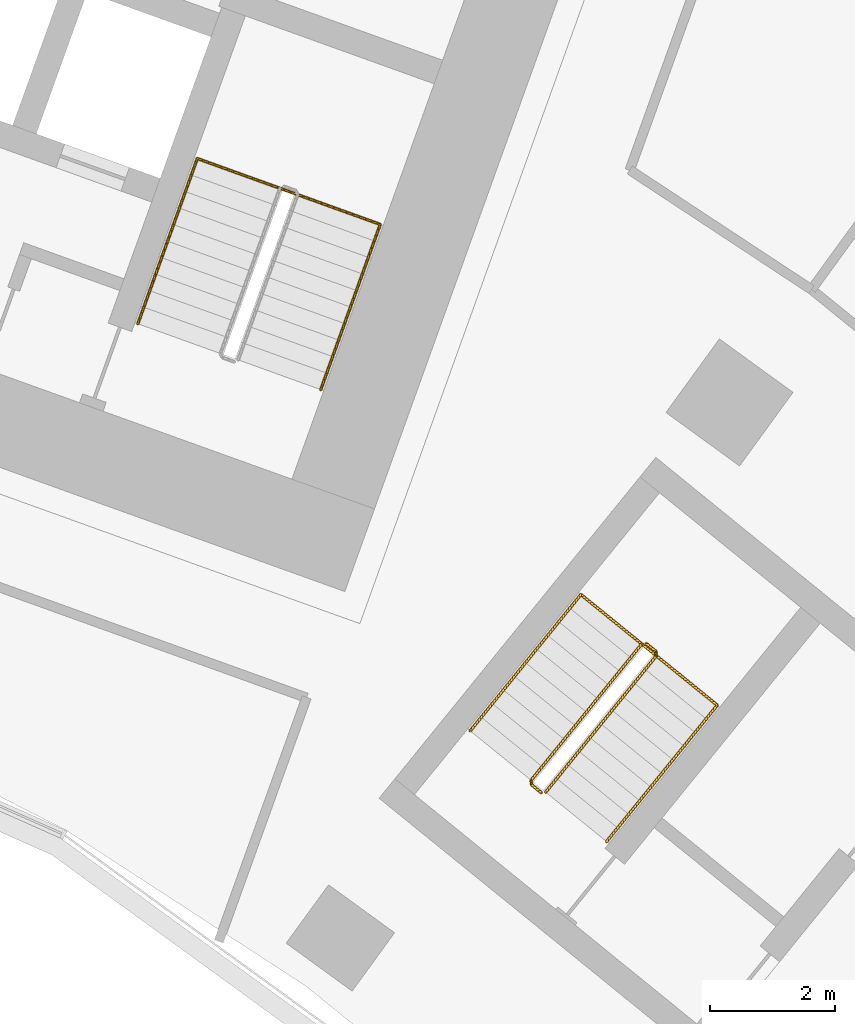
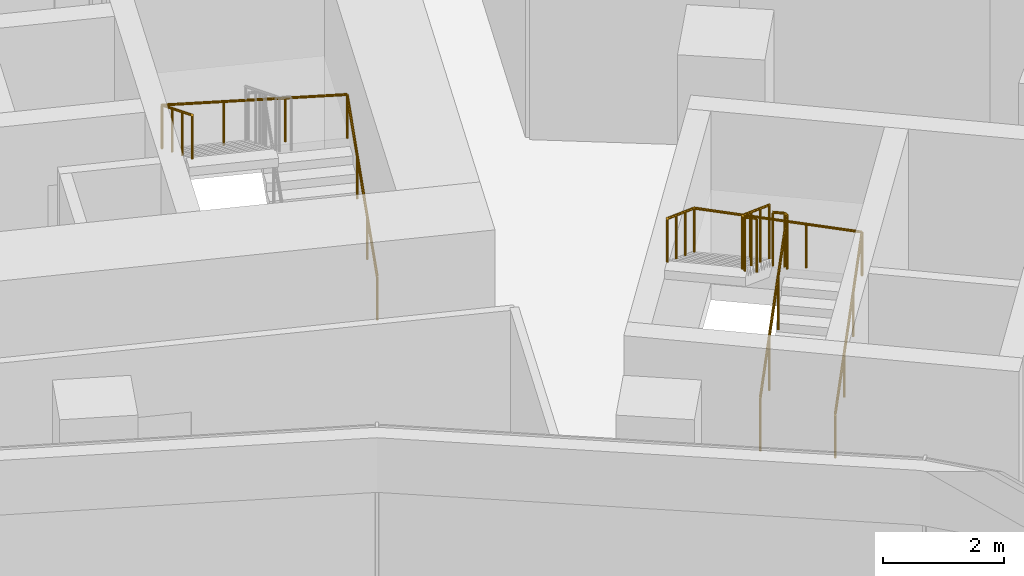
# One storey, part 21 of 21: 4 railings.
"""IFC4 building model written with IfcOpenShell, lengths in metres."""

import ifcopenshell
import ifcopenshell.guid

model = None  # the IFC model being written
_history = None  # IfcOwnerHistory: only IFC2X3 demands one
_inside = {}  # id of a spatial element -> (the spatial element, [elements in it])
_under = {}  # id of a project, library or spatial element -> (it, [spatial elements below it])
_declared = {}  # id of a project -> (the project, [libraries it declares])
_typed = {}  # id of a type object -> (the type object, [elements of that type])
_made_of = {}  # id of a material, layer set ... -> (it, [elements and type objects made of it])


def new_model(schema):
    """Start an empty IFC model of exactly this schema.

    Asked for "IFC4X3", IfcOpenShell would pick the latest addendum, in which some entities
    have other attributes; the version numbers below select the first issue.
    IFC2X3 requires an IfcOwnerHistory on every rooted entity: one is made here for all.
    """
    global model, _history
    if schema == "IFC4X3":
        model = ifcopenshell.file(schema_version=(4, 3, 0, 0))
    else:
        model = ifcopenshell.file(schema=schema)
    _inside.clear()
    _under.clear()
    _declared.clear()
    _typed.clear()
    _made_of.clear()
    _history = None
    if model.schema == "IFC2X3":
        org = make("IfcOrganization", Name="unknown")
        user = make(
            "IfcPersonAndOrganization",
            ThePerson=make("IfcPerson", FamilyName="unknown"),
            TheOrganization=org,
        )
        app = make(
            "IfcApplication",
            ApplicationDeveloper=org,
            Version="unknown",
            ApplicationFullName="unknown",
            ApplicationIdentifier="unknown",
        )
        _history = make(
            "IfcOwnerHistory",
            OwningUser=user,
            OwningApplication=app,
            ChangeAction="ADDED",
            CreationDate=0,
        )
    return model


def make(cls, **values):
    """One entity of the class cls with the attributes given. An attribute that is None is left unset."""
    return model.create_entity(
        cls, **{name: value for name, value in values.items() if value is not None}
    )


def rooted(cls, **values):
    """An entity with a GlobalId (a new one), such as an element, a storey or a relation."""
    return make(cls, GlobalId=ifcopenshell.guid.new(), OwnerHistory=_history, **values)


def si_unit(unit_type, name, prefix=None):
    """IfcSIUnit, for example si_unit("LENGTHUNIT", "METRE", prefix="MILLI")."""
    return make("IfcSIUnit", UnitType=unit_type, Prefix=prefix, Name=name)


def assignment(units):
    """IfcUnitAssignment: the units of a project."""
    return None if units is None else make("IfcUnitAssignment", Units=units)


def point(xyz):
    """IfcCartesianPoint."""
    return None if xyz is None else make("IfcCartesianPoint", Coordinates=xyz)


def direction(xyz):
    """IfcDirection."""
    return None if xyz is None else make("IfcDirection", DirectionRatios=xyz)


def frame(location, z_axis=None, x_axis=None):
    """IfcAxis2Placement3D, a coordinate frame: its origin and axes. An axis left out is left unset."""
    return make(
        "IfcAxis2Placement3D",
        Location=point(location),
        Axis=direction(z_axis),
        RefDirection=direction(x_axis),
    )


def frame_2d(location, x_axis=None):
    """IfcAxis2Placement2D, a coordinate frame in the plane: its origin and x axis."""
    return make(
        "IfcAxis2Placement2D", Location=point(location), RefDirection=direction(x_axis)
    )


def origin():
    """The frame at (0, 0, 0) with its axes left unset."""
    return frame((0.0, 0.0, 0.0))


def origin_2d():
    """The frame at (0, 0) in the plane with its x axis left unset."""
    return frame_2d((0.0, 0.0))


def place(relative_to, where):
    """IfcLocalPlacement: puts the frame where relative to a parent placement (None: the world)."""
    return make(
        "IfcLocalPlacement", PlacementRelTo=relative_to, RelativePlacement=where
    )


def context(
    kind, dimensions, precision=None, world=None, true_north=None, identifier=None
):
    """IfcGeometricRepresentationContext, for example the 3D "Model" context."""
    return make(
        "IfcGeometricRepresentationContext",
        ContextIdentifier=identifier,
        ContextType=kind,
        CoordinateSpaceDimension=dimensions,
        Precision=precision,
        WorldCoordinateSystem=world,
        TrueNorth=true_north,
    )


def subcontext(parent, identifier, kind, view, scale=None):
    """IfcGeometricRepresentationSubContext, for example "Body" below "Model"."""
    return make(
        "IfcGeometricRepresentationSubContext",
        ContextIdentifier=identifier,
        ContextType=kind,
        ParentContext=parent,
        TargetScale=scale,
        TargetView=view,
    )


def project(units=None, contexts=None):
    """IfcProject with its units and contexts."""
    return rooted(
        "IfcProject",
        Name="project",
        RepresentationContexts=contexts,
        UnitsInContext=assignment(units),
    )


def spatial(cls, under=None, at=None, **own):
    """A site, building, storey or space (cls), placed at a placement, below another one or the project."""
    s = rooted(cls, ObjectPlacement=at, **own)
    if under is not None:
        _under.setdefault(under.id(), (under, []))[1].append(s)
    return s


def profile(cls, at=None, kind="AREA", **sizes):
    """A parametric profile (cls). Its sizes go by their IFC names, for example OverallWidth=200.0."""
    return make(cls, ProfileType=kind, Position=at, **sizes)


def circle(**sizes):
    """IfcCircleProfileDef."""
    return profile("IfcCircleProfileDef", **sizes)


def extrude(swept, where, along, depth):
    """IfcExtrudedAreaSolid: the profile swept, set in the frame where, extruded along a direction by depth."""
    return make(
        "IfcExtrudedAreaSolid",
        SweptArea=swept,
        Position=where,
        ExtrudedDirection=direction(along),
        Depth=depth,
    )


def shape(context_of_items, identifier, shape_type, items):
    """IfcShapeRepresentation: the items that make up one representation, for example the "Body"."""
    return make(
        "IfcShapeRepresentation",
        ContextOfItems=context_of_items,
        RepresentationIdentifier=identifier,
        RepresentationType=shape_type,
        Items=items,
    )


def material(Name=None, Category=None):
    """IfcMaterial."""
    return make("IfcMaterial", Name=Name, Category=Category)


def made_of(thing, what):
    """Note that an element or type object is made of a material, layer set ...; save() writes the relation."""
    if what is not None:
        _made_of.setdefault(what.id(), (what, []))[1].append(thing)
    return thing


def type_object(cls, material=None, **own):
    """A type object (cls), such as IfcWallType, which elements share."""
    return made_of(rooted(cls, **own), material)


def element(
    cls,
    number,
    at=None,
    inside=None,
    cuts=None,
    type_object=None,
    material=None,
    context=None,
    identifier="Body",
    shape_type=None,
    held_by="IfcProductDefinitionShape",
    body=None,
    shapes=None,
    **own,
):
    """One element of the class cls, such as IfcWall. Its Tag is "e" and its number.

    at: its placement. inside: the storey or other place that contains it. cuts: it is an
    opening in that element (IfcRelVoidsElement). A single representation is given by context,
    identifier, shape_type and body (its items); several are given by shapes. held_by: the class
    of the entity that holds the representations. save() writes the other relations.
    """
    e = rooted(cls, Tag="e%d" % number, ObjectPlacement=at, **own)
    if body is not None:
        shapes = [shape(context, identifier, shape_type, body)]
    if shapes is not None:
        e.Representation = make(held_by, Representations=shapes)
    if inside is not None:
        _inside.setdefault(inside.id(), (inside, []))[1].append(e)
    if cuts is not None:
        rooted(
            "IfcRelVoidsElement", RelatingBuildingElement=cuts, RelatedOpeningElement=e
        )
    if type_object is not None:
        _typed.setdefault(type_object.id(), (type_object, []))[1].append(e)
    return made_of(e, material)


def aggregate(whole, parts):
    """IfcRelAggregates: a whole, such as a stair, and the parts it consists of."""
    return rooted("IfcRelAggregates", RelatingObject=whole, RelatedObjects=parts)


def save(model, path):
    """Write the relations noted so far, then the file.

    IfcRelAggregates (storeys below a building ...), IfcRelContainedInSpatialStructure (elements
    in a storey), IfcRelDefinesByType, IfcRelAssociatesMaterial and IfcRelDeclares: one each for
    every whole, place, type object, material and project.
    """
    for whole, parts in _under.values():
        aggregate(whole, parts)
    for where, things in _inside.values():
        rooted(
            "IfcRelContainedInSpatialStructure",
            RelatedElements=things,
            RelatingStructure=where,
        )
    for kind, things in _typed.values():
        rooted("IfcRelDefinesByType", RelatedObjects=things, RelatingType=kind)
    for what, things in _made_of.values():
        rooted("IfcRelAssociatesMaterial", RelatedObjects=things, RelatingMaterial=what)
    for by, libraries in _declared.values():
        rooted("IfcRelDeclares", RelatingContext=by, RelatedDefinitions=libraries)
    model.write(path)


model = new_model("IFC4")

# Units and contexts
model_context = context("Model", 3, precision=1e-05, world=origin(), true_north=direction((0.0, 1.0)))
body_context = subcontext(model_context, "Body", "Model", "MODEL_VIEW")
ifc_project = project(units=[si_unit("LENGTHUNIT", "METRE"), si_unit("AREAUNIT", "SQUARE_METRE"), si_unit("VOLUMEUNIT", "CUBIC_METRE"), si_unit("PLANEANGLEUNIT", "RADIAN"), si_unit("MASSUNIT", "GRAM", prefix="KILO")], contexts=[model_context])

# Site, building, storey
site_placement = place(None, origin())
site = spatial("IfcSite", under=ifc_project, at=site_placement, CompositionType="ELEMENT")
building_placement = place(site_placement, origin())
building = spatial("IfcBuilding", under=site, at=building_placement, Name="Stone Belt Terrace Tower", CompositionType="ELEMENT")
storey_placement = place(building_placement, frame((0.0, 0.0, 94.60009765625)))
storey = spatial("IfcBuildingStorey", under=building, at=storey_placement, Name="L22", CompositionType="ELEMENT", Elevation=94.60009765625)

# Railings
ifc_material = material(Name="Structural steel C345", Category="steel")
railing_type_1 = type_object("IfcRailingType", Name="Stair guard 1100", PredefinedType="GUARDRAIL", material=ifc_material)
railing_1_placement = place(storey_placement, frame((29.39794921875, 38.281982421875, 0.172607421875)))
element("IfcRailing", 1, at=railing_1_placement, inside=storey, type_object=railing_type_1, Name="L22 ST3B stair guard 1", PredefinedType="GUARDRAIL", context=body_context, shape_type="SweptSolid", body=[
    extrude(circle(Radius=0.02392578125, at=origin_2d()), frame((0.0, 0.0, 1.076171875), z_axis=(0.536393061503, 0.660769759217, 0.525038864158), x_axis=(-0.776391310223, 0.630251166924, 0.0)), (0.0, 0.0, 1.0), 3.289794921875),
    extrude(circle(Radius=0.02392578125, at=origin_2d()), frame((1.7646484375, 2.173828125, 2.80322265625), z_axis=(-0.103251414163, 0.994655289773, 0.0), x_axis=(-0.994655289773, -0.103251414163, 0.0)), (0.0, 0.0, 1.0), 0.071044921875),
    extrude(circle(Radius=0.02392578125, at=origin_2d()), frame((1.75732421875, 2.244384765625, 2.80322265625), z_axis=(-0.776561986372, 0.630040856868, 0.0), x_axis=(-0.630040856868, -0.776561986372, 0.0)), (0.0, 0.0, 1.0), 0.199951171875),
    extrude(circle(Radius=0.02099609375, at=origin_2d()), origin(), (0.0, 0.0, 1.0), 1.052001953125),
    extrude(circle(Radius=0.02099609375, at=origin_2d()), frame((0.588134765625, 0.724609375, 0.57568359375)), (0.0, 0.0, 1.0), 1.052001953125),
    extrude(circle(Radius=0.02099609375, at=origin_2d()), frame((1.176513671875, 1.44921875, 1.151611328125)), (0.0, 0.0, 1.0), 1.052001953125),
    extrude(circle(Radius=0.02099609375, at=origin_2d()), frame((1.7646484375, 2.173828125, 1.727294921875)), (0.0, 0.0, 1.0), 1.052001953125),
    extrude(circle(Radius=0.02099609375, at=origin_2d()), frame((1.75732421875, 2.244384765625, 1.727294921875)), (0.0, 0.0, 1.0), 1.052001953125),
    extrude(circle(Radius=0.02099609375, at=origin_2d()), frame((1.60205078125, 2.370361328125, 1.727294921875)), (0.0, 0.0, 1.0), 1.052001953125),
])
railing_2_placement = place(storey_placement, frame((30.9296875, 40.64501953125, 2.072509765625)))
element("IfcRailing", 2, at=railing_2_placement, inside=storey, type_object=railing_type_1, Name="L22 ST3B stair guard 2", PredefinedType="GUARDRAIL", context=body_context, shape_type="SweptSolid", body=[
    extrude(circle(Radius=0.02392578125, at=origin_2d()), frame((0.0, 0.0, 1.076171875), z_axis=(-0.536366759382, -0.660811565066, 0.525013118792), x_axis=(0.776425942316, -0.630208502084, 0.0)), (0.0, 0.0, 1.0), 3.2900390625),
    extrude(circle(Radius=0.02392578125, at=origin_2d()), frame((-1.7646484375, -2.174072265625, 2.80322265625), z_axis=(0.103606084259, -0.994618408891, 0.0), x_axis=(0.994618408891, 0.103606084259, 0.0)), (0.0, 0.0, 1.0), 0.07080078125),
    extrude(circle(Radius=0.02392578125, at=origin_2d()), frame((-1.75732421875, -2.244384765625, 2.80322265625), z_axis=(0.776561986372, -0.630040856868, 0.0), x_axis=(0.630040856868, 0.776561986372, 0.0)), (0.0, 0.0, 1.0), 0.199951171875),
    extrude(circle(Radius=0.02099609375, at=origin_2d()), origin(), (0.0, 0.0, 1.0), 1.052001953125),
    extrude(circle(Radius=0.02099609375, at=origin_2d()), frame((-0.588134765625, -0.724609375, 0.57568359375)), (0.0, 0.0, 1.0), 1.052001953125),
    extrude(circle(Radius=0.02099609375, at=origin_2d()), frame((-1.176513671875, -1.449462890625, 1.151611328125)), (0.0, 0.0, 1.0), 1.052001953125),
    extrude(circle(Radius=0.02099609375, at=origin_2d()), frame((-1.7646484375, -2.174072265625, 1.727294921875)), (0.0, 0.0, 1.0), 1.052001953125),
    extrude(circle(Radius=0.02099609375, at=origin_2d()), frame((-1.75732421875, -2.244384765625, 1.727294921875)), (0.0, 0.0, 1.0), 1.052001953125),
    extrude(circle(Radius=0.02099609375, at=origin_2d()), frame((-1.60205078125, -2.370361328125, 1.727294921875)), (0.0, 0.0, 1.0), 1.052001953125),
])
railing_type_2 = type_object("IfcRailingType", Name="Stair handrail 900", PredefinedType="HANDRAIL", material=ifc_material)
railing_3_placement = place(storey_placement, frame((25.8115234375, 44.700439453125, 0.172607421875)))
element("IfcRailing", 3, at=railing_3_placement, inside=storey, type_object=railing_type_2, Name="L22 ST1B stair handrail 1", PredefinedType="HANDRAIL", context=body_context, shape_type="SweptSolid", body=[
    extrude(circle(Radius=0.02392578125, at=origin_2d()), frame((0.0, 0.0, 0.8759765625), z_axis=(0.288228637646, 0.800791768495, 0.525030280985), x_axis=(-0.940908529223, 0.338660803216, 0.0)), (0.0, 0.0, 1.0), 3.289794921875),
    extrude(circle(Radius=0.02392578125, at=origin_2d()), frame((0.9482421875, 2.634521484375, 2.60302734375), z_axis=(-0.939464517435, 0.338106580597, 0.055591012205), x_axis=(-0.338630230244, -0.940919532779, 0.0)), (0.0, 0.0, 1.0), 3.10498046875),
    extrude(circle(Radius=0.02392578125, at=origin_2d()), frame((-1.96875, 3.684326171875, 2.77587890625), z_axis=(-0.288160591223, -0.800808895155, 0.52504150989), x_axis=(0.940936311087, -0.338583606334, 0.0)), (0.0, 0.0, 1.0), 3.289794921875),
    extrude(circle(Radius=0.02099609375, at=origin_2d()), origin(), (0.0, 0.0, 1.0), 0.851806640625),
    extrude(circle(Radius=0.02099609375, at=origin_2d()), frame((0.316162109375, 0.878173828125, 0.57568359375)), (0.0, 0.0, 1.0), 0.851806640625),
    extrude(circle(Radius=0.02099609375, at=origin_2d()), frame((0.632080078125, 1.75634765625, 1.151611328125)), (0.0, 0.0, 1.0), 0.851806640625),
    extrude(circle(Radius=0.02099609375, at=origin_2d()), frame((0.9482421875, 2.634521484375, 1.727294921875)), (0.0, 0.0, 1.0), 0.851806640625),
    extrude(circle(Radius=0.02099609375, at=origin_2d()), frame((-0.024169921875, 2.984375, 1.784912109375)), (0.0, 0.0, 1.0), 0.851806640625),
    extrude(circle(Radius=0.02099609375, at=origin_2d()), frame((-0.996337890625, 3.33447265625, 1.84228515625)), (0.0, 0.0, 1.0), 0.851806640625),
    extrude(circle(Radius=0.02099609375, at=origin_2d()), frame((-1.96875, 3.684326171875, 1.89990234375)), (0.0, 0.0, 1.0), 0.851806640625),
    extrude(circle(Radius=0.02099609375, at=origin_2d()), frame((-2.28466796875, 2.80615234375, 2.4755859375)), (0.0, 0.0, 1.0), 0.851806640625),
    extrude(circle(Radius=0.02099609375, at=origin_2d()), frame((-2.600830078125, 1.927978515625, 3.051513671875)), (0.0, 0.0, 1.0), 0.851806640625),
    extrude(circle(Radius=0.02099609375, at=origin_2d()), frame((-2.916748046875, 1.0498046875, 3.627197265625)), (0.0, 0.0, 1.0), 0.851806640625),
])
railing_4_placement = place(storey_placement, frame((30.36865234375, 37.494140625, 0.172607421875)))
element("IfcRailing", 4, at=railing_4_placement, inside=storey, type_object=railing_type_2, Name="L22 ST3B stair handrail 1", PredefinedType="HANDRAIL", context=body_context, shape_type="SweptSolid", body=[
    extrude(circle(Radius=0.02392578125, at=origin_2d()), frame((0.0, 0.0, 0.8759765625), z_axis=(0.536366759382, 0.660811565066, 0.525013118792), x_axis=(-0.776425942316, 0.630208502084, 0.0)), (0.0, 0.0, 1.0), 3.2900390625),
    extrude(circle(Radius=0.02392578125, at=origin_2d()), frame((1.7646484375, 2.174072265625, 2.60302734375), z_axis=(-0.774954966459, 0.629014542119, 0.061526463929), x_axis=(-0.630208502084, -0.776425942316, 0.0)), (0.0, 0.0, 1.0), 2.805419921875),
    extrude(circle(Radius=0.02392578125, at=origin_2d()), frame((-0.409423828125, 3.938720703125, 2.77587890625), z_axis=(-0.536366759382, -0.660811565066, 0.525013118792), x_axis=(0.776425942316, -0.630208502084, 0.0)), (0.0, 0.0, 1.0), 3.2900390625),
    extrude(circle(Radius=0.02099609375, at=origin_2d()), origin(), (0.0, 0.0, 1.0), 0.851806640625),
    extrude(circle(Radius=0.02099609375, at=origin_2d()), frame((0.588134765625, 0.724609375, 0.57568359375)), (0.0, 0.0, 1.0), 0.851806640625),
    extrude(circle(Radius=0.02099609375, at=origin_2d()), frame((1.176513671875, 1.449462890625, 1.151611328125)), (0.0, 0.0, 1.0), 0.851806640625),
    extrude(circle(Radius=0.02099609375, at=origin_2d()), frame((1.7646484375, 2.174072265625, 1.727294921875)), (0.0, 0.0, 1.0), 0.851806640625),
    extrude(circle(Radius=0.02099609375, at=origin_2d()), frame((1.0400390625, 2.76220703125, 1.784912109375)), (0.0, 0.0, 1.0), 0.851806640625),
    extrude(circle(Radius=0.02099609375, at=origin_2d()), frame((0.315185546875, 3.3505859375, 1.84228515625)), (0.0, 0.0, 1.0), 0.851806640625),
    extrude(circle(Radius=0.02099609375, at=origin_2d()), frame((-0.409423828125, 3.938720703125, 1.89990234375)), (0.0, 0.0, 1.0), 0.851806640625),
    extrude(circle(Radius=0.02099609375, at=origin_2d()), frame((-0.99755859375, 3.214111328125, 2.4755859375)), (0.0, 0.0, 1.0), 0.851806640625),
    extrude(circle(Radius=0.02099609375, at=origin_2d()), frame((-1.5859375, 2.4892578125, 3.051513671875)), (0.0, 0.0, 1.0), 0.851806640625),
    extrude(circle(Radius=0.02099609375, at=origin_2d()), frame((-2.174072265625, 1.7646484375, 3.627197265625)), (0.0, 0.0, 1.0), 0.851806640625),
])

save(model, "model.ifc")
